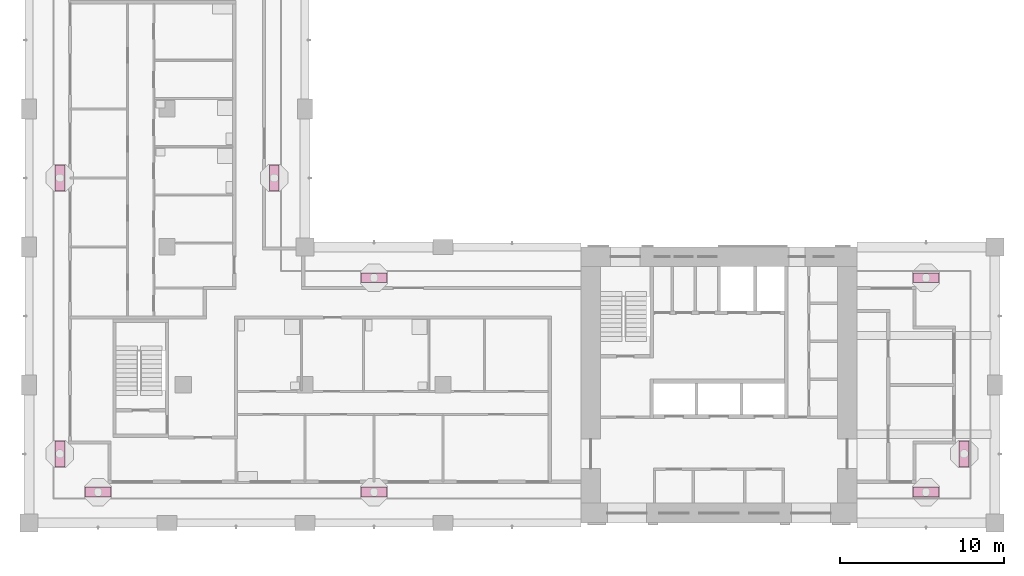
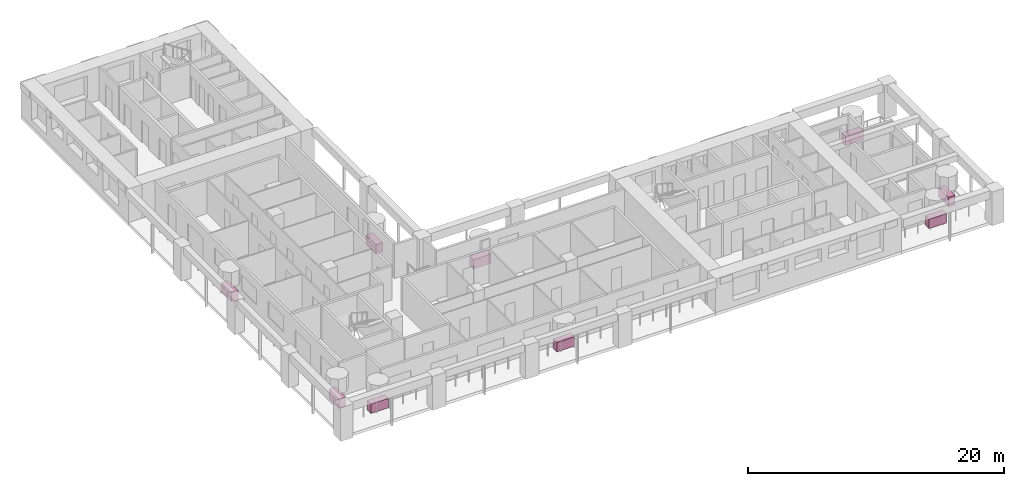
# One storey, part 12 of 13: 9 furniture elements.
"""IFC4 building model written with IfcOpenShell, lengths in metres."""

import ifcopenshell
import ifcopenshell.guid

model = None  # the IFC model being written
_history = None  # IfcOwnerHistory: only IFC2X3 demands one
_inside = {}  # id of a spatial element -> (the spatial element, [elements in it])
_under = {}  # id of a project, library or spatial element -> (it, [spatial elements below it])
_declared = {}  # id of a project -> (the project, [libraries it declares])
_typed = {}  # id of a type object -> (the type object, [elements of that type])
_made_of = {}  # id of a material, layer set ... -> (it, [elements and type objects made of it])


def new_model(schema):
    """Start an empty IFC model of exactly this schema.

    Asked for "IFC4X3", IfcOpenShell would pick the latest addendum, in which some entities
    have other attributes; the version numbers below select the first issue.
    IFC2X3 requires an IfcOwnerHistory on every rooted entity: one is made here for all.
    """
    global model, _history
    if schema == "IFC4X3":
        model = ifcopenshell.file(schema_version=(4, 3, 0, 0))
    else:
        model = ifcopenshell.file(schema=schema)
    _inside.clear()
    _under.clear()
    _declared.clear()
    _typed.clear()
    _made_of.clear()
    _history = None
    if model.schema == "IFC2X3":
        org = make("IfcOrganization", Name="unknown")
        user = make(
            "IfcPersonAndOrganization",
            ThePerson=make("IfcPerson", FamilyName="unknown"),
            TheOrganization=org,
        )
        app = make(
            "IfcApplication",
            ApplicationDeveloper=org,
            Version="unknown",
            ApplicationFullName="unknown",
            ApplicationIdentifier="unknown",
        )
        _history = make(
            "IfcOwnerHistory",
            OwningUser=user,
            OwningApplication=app,
            ChangeAction="ADDED",
            CreationDate=0,
        )
    return model


def make(cls, **values):
    """One entity of the class cls with the attributes given. An attribute that is None is left unset."""
    return model.create_entity(
        cls, **{name: value for name, value in values.items() if value is not None}
    )


def rooted(cls, **values):
    """An entity with a GlobalId (a new one), such as an element, a storey or a relation."""
    return make(cls, GlobalId=ifcopenshell.guid.new(), OwnerHistory=_history, **values)


def si_unit(unit_type, name, prefix=None):
    """IfcSIUnit, for example si_unit("LENGTHUNIT", "METRE", prefix="MILLI")."""
    return make("IfcSIUnit", UnitType=unit_type, Prefix=prefix, Name=name)


def assignment(units):
    """IfcUnitAssignment: the units of a project."""
    return None if units is None else make("IfcUnitAssignment", Units=units)


def point(xyz):
    """IfcCartesianPoint."""
    return None if xyz is None else make("IfcCartesianPoint", Coordinates=xyz)


def direction(xyz):
    """IfcDirection."""
    return None if xyz is None else make("IfcDirection", DirectionRatios=xyz)


def frame(location, z_axis=None, x_axis=None):
    """IfcAxis2Placement3D, a coordinate frame: its origin and axes. An axis left out is left unset."""
    return make(
        "IfcAxis2Placement3D",
        Location=point(location),
        Axis=direction(z_axis),
        RefDirection=direction(x_axis),
    )


def frame_2d(location, x_axis=None):
    """IfcAxis2Placement2D, a coordinate frame in the plane: its origin and x axis."""
    return make(
        "IfcAxis2Placement2D", Location=point(location), RefDirection=direction(x_axis)
    )


def origin():
    """The frame at (0, 0, 0) with its axes left unset."""
    return frame((0.0, 0.0, 0.0))


def origin_2d():
    """The frame at (0, 0) in the plane with its x axis left unset."""
    return frame_2d((0.0, 0.0))


def place(relative_to, where):
    """IfcLocalPlacement: puts the frame where relative to a parent placement (None: the world)."""
    return make(
        "IfcLocalPlacement", PlacementRelTo=relative_to, RelativePlacement=where
    )


def context(
    kind, dimensions, precision=None, world=None, true_north=None, identifier=None
):
    """IfcGeometricRepresentationContext, for example the 3D "Model" context."""
    return make(
        "IfcGeometricRepresentationContext",
        ContextIdentifier=identifier,
        ContextType=kind,
        CoordinateSpaceDimension=dimensions,
        Precision=precision,
        WorldCoordinateSystem=world,
        TrueNorth=true_north,
    )


def subcontext(parent, identifier, kind, view, scale=None):
    """IfcGeometricRepresentationSubContext, for example "Body" below "Model"."""
    return make(
        "IfcGeometricRepresentationSubContext",
        ContextIdentifier=identifier,
        ContextType=kind,
        ParentContext=parent,
        TargetScale=scale,
        TargetView=view,
    )


def project(units=None, contexts=None):
    """IfcProject with its units and contexts."""
    return rooted(
        "IfcProject",
        Name="project",
        RepresentationContexts=contexts,
        UnitsInContext=assignment(units),
    )


def spatial(cls, under=None, at=None, **own):
    """A site, building, storey or space (cls), placed at a placement, below another one or the project."""
    s = rooted(cls, ObjectPlacement=at, **own)
    if under is not None:
        _under.setdefault(under.id(), (under, []))[1].append(s)
    return s


def profile(cls, at=None, kind="AREA", **sizes):
    """A parametric profile (cls). Its sizes go by their IFC names, for example OverallWidth=200.0."""
    return make(cls, ProfileType=kind, Position=at, **sizes)


def rectangle(**sizes):
    """IfcRectangleProfileDef."""
    return profile("IfcRectangleProfileDef", **sizes)


def extrude(swept, where, along, depth):
    """IfcExtrudedAreaSolid: the profile swept, set in the frame where, extruded along a direction by depth."""
    return make(
        "IfcExtrudedAreaSolid",
        SweptArea=swept,
        Position=where,
        ExtrudedDirection=direction(along),
        Depth=depth,
    )


def shape(context_of_items, identifier, shape_type, items):
    """IfcShapeRepresentation: the items that make up one representation, for example the "Body"."""
    return make(
        "IfcShapeRepresentation",
        ContextOfItems=context_of_items,
        RepresentationIdentifier=identifier,
        RepresentationType=shape_type,
        Items=items,
    )


def material(Name=None, Category=None):
    """IfcMaterial."""
    return make("IfcMaterial", Name=Name, Category=Category)


def made_of(thing, what):
    """Note that an element or type object is made of a material, layer set ...; save() writes the relation."""
    if what is not None:
        _made_of.setdefault(what.id(), (what, []))[1].append(thing)
    return thing


def element(
    cls,
    number,
    at=None,
    inside=None,
    cuts=None,
    type_object=None,
    material=None,
    context=None,
    identifier="Body",
    shape_type=None,
    held_by="IfcProductDefinitionShape",
    body=None,
    shapes=None,
    **own,
):
    """One element of the class cls, such as IfcWall. Its Tag is "e" and its number.

    at: its placement. inside: the storey or other place that contains it. cuts: it is an
    opening in that element (IfcRelVoidsElement). A single representation is given by context,
    identifier, shape_type and body (its items); several are given by shapes. held_by: the class
    of the entity that holds the representations. save() writes the other relations.
    """
    e = rooted(cls, Tag="e%d" % number, ObjectPlacement=at, **own)
    if body is not None:
        shapes = [shape(context, identifier, shape_type, body)]
    if shapes is not None:
        e.Representation = make(held_by, Representations=shapes)
    if inside is not None:
        _inside.setdefault(inside.id(), (inside, []))[1].append(e)
    if cuts is not None:
        rooted(
            "IfcRelVoidsElement", RelatingBuildingElement=cuts, RelatedOpeningElement=e
        )
    if type_object is not None:
        _typed.setdefault(type_object.id(), (type_object, []))[1].append(e)
    return made_of(e, material)


def aggregate(whole, parts):
    """IfcRelAggregates: a whole, such as a stair, and the parts it consists of."""
    return rooted("IfcRelAggregates", RelatingObject=whole, RelatedObjects=parts)


def save(model, path):
    """Write the relations noted so far, then the file.

    IfcRelAggregates (storeys below a building ...), IfcRelContainedInSpatialStructure (elements
    in a storey), IfcRelDefinesByType, IfcRelAssociatesMaterial and IfcRelDeclares: one each for
    every whole, place, type object, material and project.
    """
    for whole, parts in _under.values():
        aggregate(whole, parts)
    for where, things in _inside.values():
        rooted(
            "IfcRelContainedInSpatialStructure",
            RelatedElements=things,
            RelatingStructure=where,
        )
    for kind, things in _typed.values():
        rooted("IfcRelDefinesByType", RelatedObjects=things, RelatingType=kind)
    for what, things in _made_of.values():
        rooted("IfcRelAssociatesMaterial", RelatedObjects=things, RelatingMaterial=what)
    for by, libraries in _declared.values():
        rooted("IfcRelDeclares", RelatingContext=by, RelatedDefinitions=libraries)
    model.write(path)


model = new_model("IFC4")

# Units and contexts
model_context = context("Model", 3, precision=1e-05, world=origin(), true_north=direction((0.0, 1.0)))
body_context = subcontext(model_context, "Body", "Model", "MODEL_VIEW")
ifc_project = project(units=[si_unit("LENGTHUNIT", "METRE"), si_unit("AREAUNIT", "SQUARE_METRE"), si_unit("VOLUMEUNIT", "CUBIC_METRE"), si_unit("PLANEANGLEUNIT", "RADIAN"), si_unit("MASSUNIT", "GRAM", prefix="KILO")], contexts=[model_context])

# Site, building, storey
site_placement = place(None, origin())
site = spatial("IfcSite", under=ifc_project, at=site_placement, CompositionType="ELEMENT")
building_placement = place(site_placement, origin())
building = spatial("IfcBuilding", under=site, at=building_placement, Name="Vermilion Gate Residences", CompositionType="ELEMENT")
storey_placement = place(building_placement, frame((0.0, 0.0, 161.699951171875)))
storey = spatial("IfcBuildingStorey", under=building, at=storey_placement, Name="L41", CompositionType="ELEMENT", Elevation=161.699951171875)

# Furniture
ifc_material = material(Name="Terracotta planter", Category="masonry")
for number, where, z_axis, x_axis, name in (
    (1, (12.60009765625, 10.27490234375, 0.0), (0.0, 0.0, 1.0), (1.0, 0.0, 0.0), "PLANTER"),
    (2, (29.39990234375, 10.27490234375, 0.0), (0.0, 0.0, 1.0), (1.0, 0.0, 0.0), "PLANTER"),
    (3, (63.0, 10.27490234375, 0.0), (0.0, 0.0, 1.0), (1.0, 0.0, 0.0), "PLANTER"),
    (4, (65.324951171875, 12.60009765625, 0.0), (0.0, 0.0, 1.0), (0.0, 1.0, 0.0), "PLANTER"),
    (5, (29.39990234375, 23.324951171875, 0.0), (0.0, 0.0, 1.0), (-1.0, 0.0, 0.0), "PLANTER"),
    (6, (63.0, 23.324951171875, 0.0), (0.0, 0.0, 1.0), (-1.0, 0.0, 0.0), "PLANTER"),
    (7, (23.324951171875, 29.39990234375, 0.0), (0.0, 0.0, 1.0), (0.0, 1.0, 0.0), "PLANTER"),
    (8, (10.27490234375, 12.60009765625, 0.0), (0.0, 0.0, 1.0), (0.0, -1.0, 0.0), "PLANTER"),
    (9, (10.27490234375, 29.39990234375, 0.0), (0.0, 0.0, 1.0), (0.0, -1.0, 0.0), "PLANTER"),
):
    element("IfcFurniture", number, at=place(storey_placement, frame(where, z_axis=z_axis, x_axis=x_axis)), inside=storey, material=ifc_material, Name=name, ObjectType="PLANTER", PredefinedType="USERDEFINED", context=body_context, shape_type="SweptSolid", body=[
        extrude(rectangle(XDim=1.60009765625, YDim=0.60009765625, at=origin_2d()), origin(), (0.0, 0.0, 1.0), 0.89990234375),
    ])

save(model, "model.ifc")
